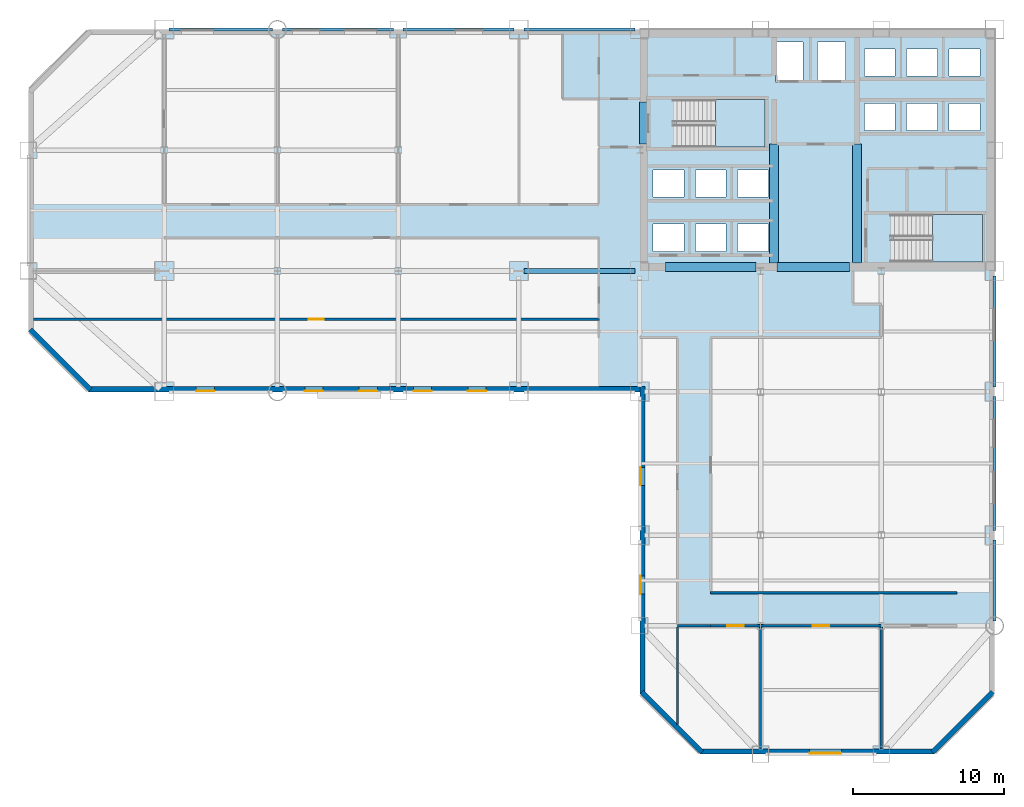
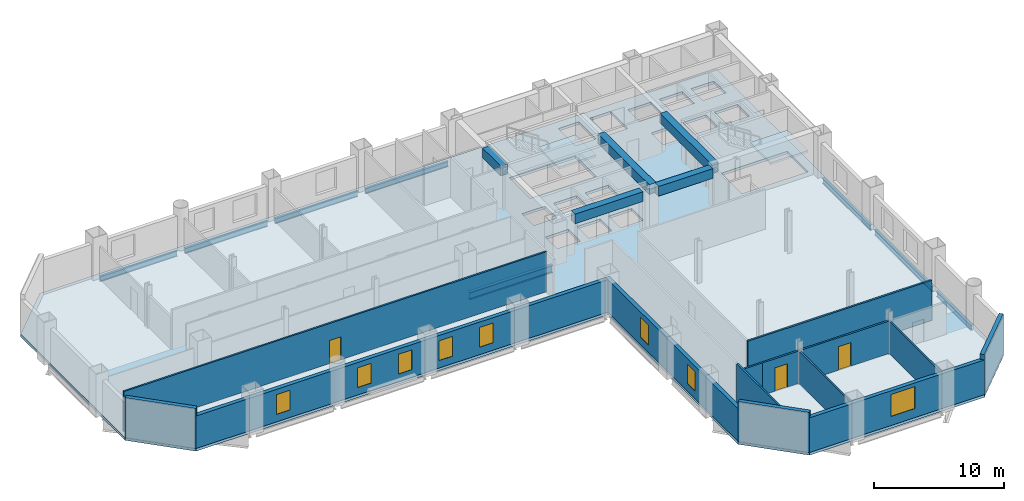
# One storey, part 4 of 9: 14 walls, 13 beams, 8 windows, 3 doors, 3 slabs, 11 openings, 2 elements without a shape of their own.
"""IFC4 building model written with IfcOpenShell, lengths in metres."""

from ifc_helpers import new_model, si_unit, direction, frame, frame_2d, origin, origin_2d, place, context, subcontext, project, spatial, polyline, rectangle, i_section, outline, extrude, material, layer, layer_set, material_profile, profile_set, type_object, element, fill, aggregate, save


model = new_model("IFC4")

# Units and contexts
model_context = context("Model", 3, precision=1e-05, world=origin(), true_north=direction((0.0, 1.0)))
body_context = subcontext(model_context, "Body", "Model", "MODEL_VIEW")
ifc_project = project(units=[si_unit("LENGTHUNIT", "METRE"), si_unit("AREAUNIT", "SQUARE_METRE"), si_unit("VOLUMEUNIT", "CUBIC_METRE"), si_unit("PLANEANGLEUNIT", "RADIAN"), si_unit("MASSUNIT", "GRAM", prefix="KILO")], contexts=[model_context])

# Site, building, storey
site_placement = place(None, origin())
site = spatial("IfcSite", under=ifc_project, at=site_placement, CompositionType="ELEMENT")
building_placement = place(site_placement, origin())
building = spatial("IfcBuilding", under=site, at=building_placement, Name="Qianrong Seaharbour Tower", CompositionType="ELEMENT")
storey_placement = place(building_placement, frame((0.0, 0.0, 44.199951171875)))
storey = spatial("IfcBuildingStorey", under=building, at=storey_placement, Name="L10", CompositionType="ELEMENT", Elevation=44.199951171875)

# Beams
ifc_material_1 = material(Name="Structural steel SN490B", Category="steel")
ifc_material_profile_1 = material_profile(ifc_material_1, i_section(OverallWidth=0.300048828125, OverallDepth=0.699951171875, WebThickness=0.012939453125, FlangeThickness=0.02392578125, FilletRadius=0.02587890625, at=origin_2d()), Name="H700x300x13x24")
ifc_profile_set_1 = profile_set([ifc_material_profile_1], Name="Structural steel SN490B")
beam_type_1 = type_object("IfcBeamType", Name="BM-G-700", PredefinedType="BEAM", material=ifc_profile_set_1)
beam_1_placement = place(storey_placement, frame((32.820068359375, 36.0, -0.599853515625), z_axis=(1.0, 0.0, 0.0), x_axis=(0.0, 1.0, 0.0)))
element("IfcBeam", 1, at=beam_1_placement, inside=storey, type_object=beam_type_1, Name="L10 Primary Girder GF G5-G6", PredefinedType="BEAM", context=body_context, shape_type="SweptSolid", body=[
    extrude(i_section(OverallWidth=0.300048828125, OverallDepth=0.699951171875, WebThickness=0.012939453125, FlangeThickness=0.02392578125, FilletRadius=0.02587890625, at=origin_2d()), origin(), (0.0, 0.0, 1.0), 7.35986328125),
])
ifc_material_2 = material(Name="Concrete C70/85", Category="concrete")
ifc_material_profile_2 = material_profile(ifc_material_2, rectangle(XDim=0.60009765625, YDim=0.89990234375, at=origin_2d()), Name="RC600x900")
ifc_profile_set_2 = profile_set([ifc_material_profile_2], Name="Concrete C70/85")
beam_type_2 = type_object("IfcBeamType", Name="BM-LINTEL-900", PredefinedType="LINTEL", material=ifc_profile_set_2)
beam_2_placement = place(storey_placement, frame((40.77001953125, 44.39990234375, 3.300048828125), z_axis=(0.0, 1.0, 0.0), x_axis=(-1.0, 0.0, 0.0)))
element("IfcBeam", 2, at=beam_2_placement, inside=storey, type_object=beam_type_2, Name="L10 Core Coupling Lintel Beam West", PredefinedType="LINTEL", context=body_context, shape_type="SweptSolid", body=[
    extrude(rectangle(XDim=0.60009765625, YDim=0.89990234375, at=origin_2d()), origin(), (0.0, 0.0, 1.0), 2.800048828125),
])
beam_3_placement = place(storey_placement, frame((42.199951171875, 36.27001953125, 3.300048828125), z_axis=(1.0, 0.0, 0.0), x_axis=(0.0, 1.0, 0.0)))
element("IfcBeam", 3, at=beam_3_placement, inside=storey, type_object=beam_type_2, Name="L10 Core Coupling Lintel Beam CBW", PredefinedType="LINTEL", context=body_context, shape_type="SweptSolid", body=[
    extrude(rectangle(XDim=0.60009765625, YDim=0.89990234375, at=origin_2d()), origin(), (0.0, 0.0, 1.0), 6.0),
])
beam_4_placement = place(storey_placement, frame((49.60009765625, 36.27001953125, 3.300048828125), z_axis=(1.0, 0.0, 0.0), x_axis=(0.0, 1.0, 0.0)))
element("IfcBeam", 4, at=beam_4_placement, inside=storey, type_object=beam_type_2, Name="L10 Core Coupling Lintel Beam CBC", PredefinedType="LINTEL", context=body_context, shape_type="SweptSolid", body=[
    extrude(rectangle(XDim=0.60009765625, YDim=0.89990234375, at=origin_2d()), origin(), (0.0, 0.0, 1.0), 4.7998046875),
])
for number, where, z_axis, x_axis, name in (
    (5, (49.39990234375, 36.5400390625, 3.300048828125), (0.0, 1.0, 0.0), (-1.0, 0.0, 0.0), "L10 Internal Core Coupling Beam IW1"),
    (6, (54.89990234375, 36.5400390625, 3.300048828125), (0.0, 1.0, 0.0), (-1.0, 0.0, 0.0), "L10 Internal Core Coupling Beam IW2"),
):
    element("IfcBeam", number, at=place(storey_placement, frame(where, z_axis=z_axis, x_axis=x_axis)), inside=storey, type_object=beam_type_2, Name=name, PredefinedType="LINTEL", context=body_context, shape_type="SweptSolid", body=[
        extrude(rectangle(XDim=0.60009765625, YDim=0.89990234375, at=origin_2d()), origin(), (0.0, 0.0, 1.0), 7.85986328125),
    ])
ifc_material_profile_3 = material_profile(ifc_material_1, i_section(OverallWidth=0.199951171875, OverallDepth=0.5, WebThickness=0.010009765625, FlangeThickness=0.01611328125, FilletRadius=0.02001953125, at=origin_2d()), Name="H500x200x10x16")
ifc_profile_set_3 = profile_set([ifc_material_profile_3], Name="Structural steel SN490B")
beam_type_3 = type_object("IfcBeamType", Name="BM-SP-500", PredefinedType="SPANDREL", material=ifc_profile_set_3)
beam_5_placement = place(storey_placement, frame((9.320068359375, 52.0, -0.5), z_axis=(1.0, 0.0, 0.0), x_axis=(0.0, 1.0, 0.0)))
element("IfcBeam", 7, at=beam_5_placement, inside=storey, type_object=beam_type_3, Name="L10 Spandrel Girder GH G2-G3", PredefinedType="SPANDREL", context=body_context, shape_type="SweptSolid", body=[
    extrude(i_section(OverallWidth=0.199951171875, OverallDepth=0.5, WebThickness=0.010009765625, FlangeThickness=0.01611328125, FilletRadius=0.02001953125, at=origin_2d()), origin(), (0.0, 0.0, 1.0), 6.85986328125),
])
for number, where, z_axis, x_axis, name in (
    (8, (16.820068359375, 52.0, -0.5), (1.0, 0.0, 0.0), (0.0, 1.0, 0.0), "L10 Spandrel Girder GH G3-G4"),
    (9, (24.820068359375, 52.0, -0.5), (1.0, 0.0, 0.0), (0.0, 1.0, 0.0), "L10 Spandrel Girder GH G4-G5"),
    (10, (32.820068359375, 52.0, -0.5), (1.0, 0.0, 0.0), (0.0, 1.0, 0.0), "L10 Spandrel Girder GH G5-G6"),
):
    element("IfcBeam", number, at=place(storey_placement, frame(where, z_axis=z_axis, x_axis=x_axis)), inside=storey, type_object=beam_type_3, Name=name, PredefinedType="SPANDREL", context=body_context, shape_type="SweptSolid", body=[
        extrude(i_section(OverallWidth=0.199951171875, OverallDepth=0.5, WebThickness=0.010009765625, FlangeThickness=0.01611328125, FilletRadius=0.02001953125, at=origin_2d()), origin(), (0.0, 0.0, 1.0), 7.35986328125),
    ])
beam_6_placement = place(storey_placement, frame((64.0, 12.820068359375, -0.5), z_axis=(0.0, 1.0, 0.0), x_axis=(-1.0, 0.0, 0.0)))
element("IfcBeam", 11, at=beam_6_placement, inside=storey, type_object=beam_type_3, Name="L10 Spandrel Girder G9 GC-GD", PredefinedType="SPANDREL", context=body_context, shape_type="SweptSolid", body=[
    extrude(i_section(OverallWidth=0.199951171875, OverallDepth=0.5, WebThickness=0.010009765625, FlangeThickness=0.01611328125, FilletRadius=0.02001953125, at=origin_2d()), origin(), (0.0, 0.0, 1.0), 5.35986328125),
])
beam_7_placement = place(storey_placement, frame((64.0, 18.820068359375, -0.5), z_axis=(0.0, 1.0, 0.0), x_axis=(-1.0, 0.0, 0.0)))
element("IfcBeam", 12, at=beam_7_placement, inside=storey, type_object=beam_type_3, Name="L10 Spandrel Girder G9 GD-GE", PredefinedType="SPANDREL", context=body_context, shape_type="SweptSolid", body=[
    extrude(i_section(OverallWidth=0.199951171875, OverallDepth=0.5, WebThickness=0.010009765625, FlangeThickness=0.01611328125, FilletRadius=0.02001953125, at=origin_2d()), origin(), (0.0, 0.0, 1.0), 8.85986328125),
])
beam_8_placement = place(storey_placement, frame((64.0, 28.320068359375, -0.5), z_axis=(0.0, 1.0, 0.0), x_axis=(-1.0, 0.0, 0.0)))
element("IfcBeam", 13, at=beam_8_placement, inside=storey, type_object=beam_type_3, Name="L10 Spandrel Girder G9 GE-GF", PredefinedType="SPANDREL", context=body_context, shape_type="SweptSolid", body=[
    extrude(i_section(OverallWidth=0.199951171875, OverallDepth=0.5, WebThickness=0.010009765625, FlangeThickness=0.01611328125, FilletRadius=0.02001953125, at=origin_2d()), origin(), (0.0, 0.0, 1.0), 7.35986328125),
])

# Stair, slab
ifc_material_3 = material(Name="Concrete C50/60", Category="concrete")
stair_type = type_object("IfcStairType", Name="STAIR-DOGLEG-1500-R22", PredefinedType="HALF_TURN_STAIR", material=ifc_material_3)
stair_1_placement = place(storey_placement, origin())
stair_1 = element("IfcStair", 14, at=stair_1_placement, inside=storey, type_object=stair_type, Name="L10 Protected Escape Stair ST-1", PredefinedType="HALF_TURN_STAIR")
ifc_layer_1 = layer(ifc_material_3, 0.199951171875)
ifc_layer_set_1 = layer_set([ifc_layer_1], Name="Concrete C50/60")
slab_type_1 = type_object("IfcSlabType", Name="SLAB-STAIR-LANDING-200", PredefinedType="LANDING", material=ifc_layer_set_1)
slab_1_placement = place(storey_placement, frame((0.0, 0.0, 1.800048828125)))
slab_1 = element("IfcSlab", 15, at=slab_1_placement, type_object=slab_type_1, Name="ST-1 landing 1", PredefinedType="LANDING", context=body_context, shape_type="SweptSolid", body=[
    extrude(outline(polyline([(45.5, 44.199951171875), (48.800048828125, 44.199951171875), (48.800048828125, 47.35009765625), (45.5, 47.35009765625), (45.5, 44.199951171875)])), origin(), (0.0, 0.0, 1.0), 0.199951171875),
])
aggregate(stair_1, [slab_1])

stair_2_placement = place(storey_placement, origin())
stair_2 = element("IfcStair", 16, at=stair_2_placement, inside=storey, type_object=stair_type, Name="L10 Protected Escape Stair ST-2", PredefinedType="HALF_TURN_STAIR")
slab_2_placement = place(storey_placement, frame((0.0, 0.0, 1.800048828125)))
slab_2 = element("IfcSlab", 17, at=slab_2_placement, type_object=slab_type_1, Name="ST-2 landing 1", PredefinedType="LANDING", context=body_context, shape_type="SweptSolid", body=[
    extrude(outline(polyline([(59.89990234375, 36.60009765625), (63.199951171875, 36.60009765625), (63.199951171875, 39.75), (59.89990234375, 39.75), (59.89990234375, 36.60009765625)])), origin(), (0.0, 0.0, 1.0), 0.199951171875),
])
aggregate(stair_2, [slab_2])

# Slab
ifc_layer_2 = layer(ifc_material_3, 0.25)
ifc_layer_set_2 = layer_set([ifc_layer_2], Name="Concrete C50/60")
slab_type_2 = type_object("IfcSlabType", Name="SLAB-Z1-250", PredefinedType="FLOOR", material=ifc_layer_set_2)
slab_3_placement = place(storey_placement, frame((0.0, 0.0, -0.25)))
element("IfcSlab", 18, at=slab_3_placement, inside=storey, type_object=slab_type_2, Name="L10 Structural Floor Slab", PredefinedType="FLOOR", context=body_context, shape_type="SweptSolid", body=[
    extrude(outline(polyline([(44.5, 4.0), (60.0, 4.0), (64.0, 8.0), (64.0, 52.0), (4.0, 52.0), (0.0, 48.0), (0.0, 32.0), (4.0, 28.0), (40.5, 28.0), (40.5, 8.0), (44.5, 4.0)]), holes=[polyline([(42.93994140625, 44.199951171875), (42.93994140625, 47.35009765625), (48.800048828125, 47.35009765625), (48.800048828125, 44.199951171875), (42.93994140625, 44.199951171875)]), polyline([(57.340087890625, 36.60009765625), (57.340087890625, 39.75), (63.199951171875, 39.75), (63.199951171875, 36.60009765625), (57.340087890625, 36.60009765625)]), polyline([(49.47998046875, 48.530029296875), (49.47998046875, 51.169921875), (51.320068359375, 51.169921875), (51.320068359375, 48.530029296875), (49.47998046875, 48.530029296875)]), polyline([(52.280029296875, 48.530029296875), (52.280029296875, 51.169921875), (54.1201171875, 51.169921875), (54.1201171875, 48.530029296875), (52.280029296875, 48.530029296875)]), polyline([(41.3798828125, 37.300048828125), (41.3798828125, 39.10009765625), (43.419921875, 39.10009765625), (43.419921875, 37.300048828125), (41.3798828125, 37.300048828125)]), polyline([(44.179931640625, 37.300048828125), (44.179931640625, 39.10009765625), (46.219970703125, 39.10009765625), (46.219970703125, 37.300048828125), (44.179931640625, 37.300048828125)]), polyline([(46.97998046875, 37.300048828125), (46.97998046875, 39.10009765625), (49.02001953125, 39.10009765625), (49.02001953125, 37.300048828125), (46.97998046875, 37.300048828125)]), polyline([(41.3798828125, 40.89990234375), (41.3798828125, 42.699951171875), (43.419921875, 42.699951171875), (43.419921875, 40.89990234375), (41.3798828125, 40.89990234375)]), polyline([(44.179931640625, 40.89990234375), (44.179931640625, 42.699951171875), (46.219970703125, 42.699951171875), (46.219970703125, 40.89990234375), (44.179931640625, 40.89990234375)]), polyline([(46.97998046875, 40.89990234375), (46.97998046875, 42.699951171875), (49.02001953125, 42.699951171875), (49.02001953125, 40.89990234375), (46.97998046875, 40.89990234375)]), polyline([(55.3798828125, 45.300048828125), (55.3798828125, 47.10009765625), (57.419921875, 47.10009765625), (57.419921875, 45.300048828125), (55.3798828125, 45.300048828125)]), polyline([(58.179931640625, 45.300048828125), (58.179931640625, 47.10009765625), (60.219970703125, 47.10009765625), (60.219970703125, 45.300048828125), (58.179931640625, 45.300048828125)]), polyline([(60.97998046875, 45.300048828125), (60.97998046875, 47.10009765625), (63.02001953125, 47.10009765625), (63.02001953125, 45.300048828125), (60.97998046875, 45.300048828125)]), polyline([(55.3798828125, 48.89990234375), (55.3798828125, 50.699951171875), (57.419921875, 50.699951171875), (57.419921875, 48.89990234375), (55.3798828125, 48.89990234375)]), polyline([(58.179931640625, 48.89990234375), (58.179931640625, 50.699951171875), (60.219970703125, 50.699951171875), (60.219970703125, 48.89990234375), (58.179931640625, 48.89990234375)]), polyline([(60.97998046875, 48.89990234375), (60.97998046875, 50.699951171875), (63.02001953125, 50.699951171875), (63.02001953125, 48.89990234375), (60.97998046875, 48.89990234375)])]), origin(), (0.0, 0.0, 1.0), 0.25),
])

# Walls
ifc_material_4 = material(Name="Fire-rated acoustic gypsum board partition")
ifc_layer_3 = layer(ifc_material_4, 0.1650390625)
ifc_layer_set_3 = layer_set([ifc_layer_3], Name="Fire-rated acoustic gypsum board partition")
wall_type_1 = type_object("IfcWallType", Name="WALL-CORR-PART-165", PredefinedType="PARTITIONING", material=ifc_layer_set_3)
wall_1_placement = place(storey_placement, frame((45.199951171875, 12.5, 0.0), z_axis=(0.0, 0.0, 1.0), x_axis=(-1.0, 0.0, 0.0)))
element("IfcWall", 19, at=wall_1_placement, inside=storey, type_object=wall_type_1, Name="L10 Interior Partition Wall 033", PredefinedType="PARTITIONING", context=body_context, shape_type="SweptSolid", body=[
    extrude(rectangle(XDim=2.199951171875, YDim=0.1650390625, at=frame_2d((1.10009765625, 0.0))), origin(), (0.0, 0.0, 1.0), 3.0419921875),
])
wall_2_placement = place(storey_placement, frame((45.199951171875, 14.699951171875, 0.0), z_axis=(0.0, 0.0, 1.0), x_axis=(1.0, 0.0, 0.0)))
element("IfcWall", 20, at=wall_2_placement, inside=storey, type_object=wall_type_1, Name="L10 Interior Partition Wall 034", PredefinedType="PARTITIONING", context=body_context, shape_type="SweptSolid", body=[
    extrude(rectangle(XDim=16.300048828125, YDim=0.1650390625, at=frame_2d((8.14990234375, 0.0))), origin(), (0.0, 0.0, 1.0), 3.75),
])

# Wall, opening, door
wall_3_placement = place(storey_placement, frame((48.5, 12.5, 0.0), z_axis=(0.0, 0.0, 1.0), x_axis=(-1.0, 0.0, 0.0)))
wall_3 = element("IfcWall", 21, at=wall_3_placement, inside=storey, type_object=wall_type_1, Name="L10 Interior Partition Wall 035", PredefinedType="PARTITIONING", context=body_context, shape_type="SweptSolid", body=[
    extrude(rectangle(XDim=3.300048828125, YDim=0.1650390625, at=frame_2d((1.64990234375, 0.0))), origin(), (0.0, 0.0, 1.0), 3.0419921875),
])
opening_1_placement = place(wall_3_placement, frame((1.10009765625, 0.0, 0.0)))
opening_1 = element("IfcOpeningElement", 22, at=opening_1_placement, cuts=wall_3, Name="Opening DM-01", PredefinedType="OPENING", context=body_context, shape_type="SweptSolid", body=[
    extrude(rectangle(XDim=1.10009765625, YDim=2.199951171875, at=frame_2d((0.550048828125, 1.10009765625))), frame((0.0, 0.092529296875, 0.0), z_axis=(0.0, -1.0, 0.0), x_axis=(1.0, 0.0, 0.0)), (0.0, 0.0, 1.0), 0.18505859375),
])
ifc_material_5 = material(Name="Acoustic timber and galvanized steel fire door assembly", Category="steel")
door_type_1 = type_object("IfcDoorType", Name="DOOR-MEET-1100x2200", OperationType="NOTDEFINED", PredefinedType="DOOR", material=ifc_material_5)
door_1_placement = place(opening_1_placement, origin())
door_1 = element("IfcDoor", 23, at=door_1_placement, inside=storey, type_object=door_type_1, Name="L10 Maritime Seminar Room 1 Door", OperationType="SINGLE_SWING_RIGHT", OverallHeight=2.199951171875, OverallWidth=1.10009765625, PredefinedType="DOOR", context=body_context, shape_type="SweptSolid", body=[
    extrude(rectangle(XDim=1.10009765625, YDim=2.199951171875, at=frame_2d((0.550048828125, 1.10009765625))), frame((0.0, 0.02490234375, 0.0), z_axis=(0.0, -1.0, 0.0), x_axis=(1.0, 0.0, 0.0)), (0.0, 0.0, 1.0), 0.050048828125),
])
fill(opening_1, door_1)

wall_4_placement = place(storey_placement, frame((56.5, 12.5, 0.0), z_axis=(0.0, 0.0, 1.0), x_axis=(-1.0, 0.0, 0.0)))
wall_4 = element("IfcWall", 24, at=wall_4_placement, inside=storey, type_object=wall_type_1, Name="L10 Interior Partition Wall 036", PredefinedType="PARTITIONING", context=body_context, shape_type="SweptSolid", body=[
    extrude(rectangle(XDim=8.0, YDim=0.1650390625, at=frame_2d((4.0, 0.0))), origin(), (0.0, 0.0, 1.0), 3.0419921875),
])
opening_2_placement = place(wall_4_placement, frame((3.449951171875, 0.0, 0.0)))
opening_2 = element("IfcOpeningElement", 25, at=opening_2_placement, cuts=wall_4, Name="Opening DM-01", PredefinedType="OPENING", context=body_context, shape_type="SweptSolid", body=[
    extrude(rectangle(XDim=1.10009765625, YDim=2.199951171875, at=frame_2d((0.550048828125, 1.10009765625))), frame((0.0, 0.092529296875, 0.0), z_axis=(0.0, -1.0, 0.0), x_axis=(1.0, 0.0, 0.0)), (0.0, 0.0, 1.0), 0.18505859375),
])
door_2_placement = place(opening_2_placement, origin())
door_2 = element("IfcDoor", 26, at=door_2_placement, inside=storey, type_object=door_type_1, Name="L10 Meeting Room 2 Door", OperationType="SINGLE_SWING_LEFT", OverallHeight=2.199951171875, OverallWidth=1.10009765625, PredefinedType="DOOR", context=body_context, shape_type="SweptSolid", body=[
    extrude(rectangle(XDim=1.10009765625, YDim=2.199951171875, at=frame_2d((0.550048828125, 1.10009765625))), frame((0.0, 0.02490234375, 0.0), z_axis=(0.0, -1.0, 0.0), x_axis=(1.0, 0.0, 0.0)), (0.0, 0.0, 1.0), 0.050048828125),
])
fill(opening_2, door_2)

# Wall, openings, windows
ifc_material_6 = material(Name="Unitised buff brick on Precast concrete C45/55", Category="masonry")
ifc_layer_4 = layer(ifc_material_6, 0.340087890625)
ifc_layer_set_4 = layer_set([ifc_layer_4], Name="Unitised buff brick on Precast concrete C45/55")
wall_type_2 = type_object("IfcWallType", Name="WALL-EXT-BRICK-BUFF-340", PredefinedType="SOLIDWALL", material=ifc_layer_set_4)
wall_5_placement = place(storey_placement, frame((40.669921875, 8.0, 0.0), z_axis=(0.0, 0.0, 1.0), x_axis=(0.0, 1.0, 0.0)))
wall_5 = element("IfcWall", 27, at=wall_5_placement, inside=storey, type_object=wall_type_2, Name="L10 Exterior Masonry Facade Wall REENTRANT_WEST", PredefinedType="SOLIDWALL", context=body_context, shape_type="SweptSolid", body=[
    extrude(rectangle(XDim=20.340087890625, YDim=0.340087890625, at=frame_2d((10.169921875, 0.0))), origin(), (0.0, 0.0, 1.0), 3.050048828125),
])
opening_3_placement = place(wall_5_placement, frame((6.60009765625, 0.0, 0.699951171875)))
opening_3 = element("IfcOpeningElement", 28, at=opening_3_placement, cuts=wall_5, Name="Opening WN-01", PredefinedType="OPENING", context=body_context, shape_type="SweptSolid", body=[
    extrude(rectangle(XDim=1.199951171875, YDim=1.85009765625, at=frame_2d((0.60009765625, 0.925048828125))), frame((0.0, 0.18017578125, 0.0), z_axis=(0.0, -1.0, 0.0), x_axis=(1.0, 0.0, 0.0)), (0.0, 0.0, 1.0), 0.360107421875),
])
opening_4_placement = place(wall_5_placement, frame((13.800048828125, 0.0, 0.699951171875)))
opening_4 = element("IfcOpeningElement", 29, at=opening_4_placement, cuts=wall_5, Name="Opening WN-01", PredefinedType="OPENING", context=body_context, shape_type="SweptSolid", body=[
    extrude(rectangle(XDim=1.199951171875, YDim=1.85009765625, at=frame_2d((0.60009765625, 0.925048828125))), frame((0.0, 0.18017578125, 0.0), z_axis=(0.0, -1.0, 0.0), x_axis=(1.0, 0.0, 0.0)), (0.0, 0.0, 1.0), 0.360107421875),
])
ifc_material_7 = material(Name="Insulated low-e double glazing in thermally broken aluminium 6063-T6 frame", Category="aluminium")
window_type_1 = type_object("IfcWindowType", Name="WIN-PUNCH-1200x1850", PartitioningType="DOUBLE_PANEL_VERTICAL", PredefinedType="WINDOW", material=ifc_material_7)
window_1_placement = place(opening_3_placement, origin())
window_1 = element("IfcWindow", 30, at=window_1_placement, inside=storey, type_object=window_type_1, Name="L10 Deep-Set Punched Window 00.02", OverallHeight=1.85009765625, OverallWidth=1.199951171875, PartitioningType="DOUBLE_PANEL_VERTICAL", PredefinedType="WINDOW", context=body_context, shape_type="SweptSolid", body=[
    extrude(rectangle(XDim=1.199951171875, YDim=1.85009765625, at=frame_2d((0.60009765625, 0.925048828125))), frame((0.0, 0.150146484375, 0.0), z_axis=(0.0, -1.0, 0.0), x_axis=(1.0, 0.0, 0.0)), (0.0, 0.0, 1.0), 0.06005859375),
])
fill(opening_3, window_1)
window_2_placement = place(opening_4_placement, origin())
window_2 = element("IfcWindow", 31, at=window_2_placement, inside=storey, type_object=window_type_1, Name="L10 Deep-Set Punched Window 00.04", OverallHeight=1.85009765625, OverallWidth=1.199951171875, PartitioningType="DOUBLE_PANEL_VERTICAL", PredefinedType="WINDOW", context=body_context, shape_type="SweptSolid", body=[
    extrude(rectangle(XDim=1.199951171875, YDim=1.85009765625, at=frame_2d((0.60009765625, 0.925048828125))), frame((0.0, 0.150146484375, 0.0), z_axis=(0.0, -1.0, 0.0), x_axis=(1.0, 0.0, 0.0)), (0.0, 0.0, 1.0), 0.06005859375),
])
fill(opening_4, window_2)

wall_6_placement = place(storey_placement, frame((40.52001953125, 28.169921875, 0.0), z_axis=(0.0, 0.0, 1.0), x_axis=(-1.0, 0.0, 0.0)))
wall_6 = element("IfcWall", 32, at=wall_6_placement, inside=storey, type_object=wall_type_2, Name="L10 Exterior Masonry Facade Wall HARBOUR_RIBBON", PredefinedType="SOLIDWALL", context=body_context, shape_type="SweptSolid", body=[
    extrude(rectangle(XDim=36.52001953125, YDim=0.340087890625, at=frame_2d((18.260009765625, 0.0))), origin(), (0.0, 0.0, 1.0), 3.050048828125),
])
opening_5_placement = place(wall_6_placement, frame((10.199951171875, 0.0, 0.699951171875)))
opening_5 = element("IfcOpeningElement", 33, at=opening_5_placement, cuts=wall_6, Name="Opening WN-01", PredefinedType="OPENING", context=body_context, shape_type="SweptSolid", body=[
    extrude(rectangle(XDim=1.199951171875, YDim=1.85009765625, at=frame_2d((0.60009765625, 0.925048828125))), frame((0.0, 0.18017578125, 0.0), z_axis=(0.0, -1.0, 0.0), x_axis=(1.0, 0.0, 0.0)), (0.0, 0.0, 1.0), 0.360107421875),
])
opening_6_placement = place(wall_6_placement, frame((13.800048828125, 0.0, 0.699951171875)))
opening_6 = element("IfcOpeningElement", 34, at=opening_6_placement, cuts=wall_6, Name="Opening WN-01", PredefinedType="OPENING", context=body_context, shape_type="SweptSolid", body=[
    extrude(rectangle(XDim=1.199951171875, YDim=1.85009765625, at=frame_2d((0.60009765625, 0.925048828125))), frame((0.0, 0.18017578125, 0.0), z_axis=(0.0, -1.0, 0.0), x_axis=(1.0, 0.0, 0.0)), (0.0, 0.0, 1.0), 0.360107421875),
])
opening_7_placement = place(wall_6_placement, frame((17.39990234375, 0.0, 0.699951171875)))
opening_7 = element("IfcOpeningElement", 35, at=opening_7_placement, cuts=wall_6, Name="Opening WN-01", PredefinedType="OPENING", context=body_context, shape_type="SweptSolid", body=[
    extrude(rectangle(XDim=1.199951171875, YDim=1.85009765625, at=frame_2d((0.60009765625, 0.925048828125))), frame((0.0, 0.18017578125, 0.0), z_axis=(0.0, -1.0, 0.0), x_axis=(1.0, 0.0, 0.0)), (0.0, 0.0, 1.0), 0.360107421875),
])
opening_8_placement = place(wall_6_placement, frame((21.0, 0.0, 0.699951171875)))
opening_8 = element("IfcOpeningElement", 36, at=opening_8_placement, cuts=wall_6, Name="Opening WN-01", PredefinedType="OPENING", context=body_context, shape_type="SweptSolid", body=[
    extrude(rectangle(XDim=1.199951171875, YDim=1.85009765625, at=frame_2d((0.60009765625, 0.925048828125))), frame((0.0, 0.18017578125, 0.0), z_axis=(0.0, -1.0, 0.0), x_axis=(1.0, 0.0, 0.0)), (0.0, 0.0, 1.0), 0.360107421875),
])
opening_9_placement = place(wall_6_placement, frame((28.199951171875, 0.0, 0.699951171875)))
opening_9 = element("IfcOpeningElement", 37, at=opening_9_placement, cuts=wall_6, Name="Opening WN-01", PredefinedType="OPENING", context=body_context, shape_type="SweptSolid", body=[
    extrude(rectangle(XDim=1.199951171875, YDim=1.85009765625, at=frame_2d((0.60009765625, 0.925048828125))), frame((0.0, 0.18017578125, 0.0), z_axis=(0.0, -1.0, 0.0), x_axis=(1.0, 0.0, 0.0)), (0.0, 0.0, 1.0), 0.360107421875),
])
window_3_placement = place(opening_5_placement, origin())
window_3 = element("IfcWindow", 38, at=window_3_placement, inside=storey, type_object=window_type_1, Name="L10 Deep-Set Punched Window 01.03", OverallHeight=1.85009765625, OverallWidth=1.199951171875, PartitioningType="DOUBLE_PANEL_VERTICAL", PredefinedType="WINDOW", context=body_context, shape_type="SweptSolid", body=[
    extrude(rectangle(XDim=1.199951171875, YDim=1.85009765625, at=frame_2d((0.60009765625, 0.925048828125))), frame((0.0, 0.150146484375, 0.0), z_axis=(0.0, -1.0, 0.0), x_axis=(1.0, 0.0, 0.0)), (0.0, 0.0, 1.0), 0.06005859375),
])
fill(opening_5, window_3)
window_4_placement = place(opening_6_placement, origin())
window_4 = element("IfcWindow", 39, at=window_4_placement, inside=storey, type_object=window_type_1, Name="L10 Deep-Set Punched Window 01.04", OverallHeight=1.85009765625, OverallWidth=1.199951171875, PartitioningType="DOUBLE_PANEL_VERTICAL", PredefinedType="WINDOW", context=body_context, shape_type="SweptSolid", body=[
    extrude(rectangle(XDim=1.199951171875, YDim=1.85009765625, at=frame_2d((0.60009765625, 0.925048828125))), frame((0.0, 0.150146484375, 0.0), z_axis=(0.0, -1.0, 0.0), x_axis=(1.0, 0.0, 0.0)), (0.0, 0.0, 1.0), 0.06005859375),
])
fill(opening_6, window_4)
window_5_placement = place(opening_7_placement, origin())
window_5 = element("IfcWindow", 40, at=window_5_placement, inside=storey, type_object=window_type_1, Name="L10 Deep-Set Punched Window 01.05", OverallHeight=1.85009765625, OverallWidth=1.199951171875, PartitioningType="DOUBLE_PANEL_VERTICAL", PredefinedType="WINDOW", context=body_context, shape_type="SweptSolid", body=[
    extrude(rectangle(XDim=1.199951171875, YDim=1.85009765625, at=frame_2d((0.60009765625, 0.925048828125))), frame((0.0, 0.150146484375, 0.0), z_axis=(0.0, -1.0, 0.0), x_axis=(1.0, 0.0, 0.0)), (0.0, 0.0, 1.0), 0.06005859375),
])
fill(opening_7, window_5)
window_6_placement = place(opening_8_placement, origin())
window_6 = element("IfcWindow", 41, at=window_6_placement, inside=storey, type_object=window_type_1, Name="L10 Deep-Set Punched Window 01.06", OverallHeight=1.85009765625, OverallWidth=1.199951171875, PartitioningType="DOUBLE_PANEL_VERTICAL", PredefinedType="WINDOW", context=body_context, shape_type="SweptSolid", body=[
    extrude(rectangle(XDim=1.199951171875, YDim=1.85009765625, at=frame_2d((0.60009765625, 0.925048828125))), frame((0.0, 0.150146484375, 0.0), z_axis=(0.0, -1.0, 0.0), x_axis=(1.0, 0.0, 0.0)), (0.0, 0.0, 1.0), 0.06005859375),
])
fill(opening_8, window_6)
window_7_placement = place(opening_9_placement, origin())
window_7 = element("IfcWindow", 42, at=window_7_placement, inside=storey, type_object=window_type_1, Name="L10 Deep-Set Punched Window 01.08", OverallHeight=1.85009765625, OverallWidth=1.199951171875, PartitioningType="DOUBLE_PANEL_VERTICAL", PredefinedType="WINDOW", context=body_context, shape_type="SweptSolid", body=[
    extrude(rectangle(XDim=1.199951171875, YDim=1.85009765625, at=frame_2d((0.60009765625, 0.925048828125))), frame((0.0, 0.150146484375, 0.0), z_axis=(0.0, -1.0, 0.0), x_axis=(1.0, 0.0, 0.0)), (0.0, 0.0, 1.0), 0.06005859375),
])
fill(opening_9, window_7)

# Walls
for number, where, z_axis, x_axis, name in (
    (43, (4.1201171875, 28.1201171875, 0.0), (0.0, 0.0, 1.0), (-0.707106781187, 0.707106781187, 0.0), "L10 Exterior Masonry Facade Wall E02"),
    (44, (63.8798828125, 8.1201171875, 0.0), (0.0, 0.0, 1.0), (-0.707106781187, -0.707106781187, 0.0), "L10 Exterior Masonry Facade Wall E07"),
):
    element("IfcWall", number, at=place(storey_placement, frame(where, z_axis=z_axis, x_axis=x_axis)), inside=storey, type_object=wall_type_2, Name=name, PredefinedType="SOLIDWALL", context=body_context, shape_type="SweptSolid", body=[
        extrude(rectangle(XDim=5.65673828125, YDim=0.340087890625, at=frame_2d((2.828369140625, 0.0))), origin(), (0.0, 0.0, 1.0), 3.75),
    ])

# Wall, opening, window
wall_7_placement = place(storey_placement, frame((60.0, 4.169921875, 0.0), z_axis=(0.0, 0.0, 1.0), x_axis=(-1.0, 0.0, 0.0)))
wall_7 = element("IfcWall", 45, at=wall_7_placement, inside=storey, type_object=wall_type_2, Name="L10 Exterior Masonry Facade Wall SOUTH_TIP", PredefinedType="SOLIDWALL", context=body_context, shape_type="SweptSolid", body=[
    extrude(rectangle(XDim=15.5, YDim=0.340087890625, at=frame_2d((7.75, 0.0))), origin(), (0.0, 0.0, 1.0), 3.25),
])
opening_10_placement = place(wall_7_placement, frame((6.14990234375, 0.0, 0.85009765625)))
opening_10 = element("IfcOpeningElement", 46, at=opening_10_placement, cuts=wall_7, Name="Opening WN-06", PredefinedType="OPENING", context=body_context, shape_type="SweptSolid", body=[
    extrude(rectangle(XDim=2.10009765625, YDim=2.050048828125, at=frame_2d((1.050048828125, 1.02490234375))), frame((0.0, 0.18017578125, 0.0), z_axis=(0.0, -1.0, 0.0), x_axis=(1.0, 0.0, 0.0)), (0.0, 0.0, 1.0), 0.360107421875),
])
window_type_2 = type_object("IfcWindowType", Name="WIN-PUNCH-2100x2050", PartitioningType="TRIPLE_PANEL_VERTICAL", PredefinedType="WINDOW", material=ifc_material_7)
window_8_placement = place(opening_10_placement, origin())
window_8 = element("IfcWindow", 47, at=window_8_placement, inside=storey, type_object=window_type_2, Name="L10 Deep-Set Punched Window 08.02", OverallHeight=2.050048828125, OverallWidth=2.10009765625, PartitioningType="TRIPLE_PANEL_VERTICAL", PredefinedType="WINDOW", context=body_context, shape_type="SweptSolid", body=[
    extrude(rectangle(XDim=2.10009765625, YDim=2.050048828125, at=frame_2d((1.050048828125, 1.02490234375))), frame((0.0, 0.150146484375, 0.0), z_axis=(0.0, -1.0, 0.0), x_axis=(1.0, 0.0, 0.0)), (0.0, 0.0, 1.0), 0.06005859375),
])
fill(opening_10, window_8)

# Walls
wall_8_placement = place(storey_placement, frame((44.6201171875, 4.1201171875, 0.0), z_axis=(0.0, 0.0, 1.0), x_axis=(-0.707106781187, 0.707106781187, 0.0)))
element("IfcWall", 48, at=wall_8_placement, inside=storey, type_object=wall_type_2, Name="L10 Exterior Masonry Facade Wall E09", PredefinedType="SOLIDWALL", context=body_context, shape_type="SweptSolid", body=[
    extrude(rectangle(XDim=5.65673828125, YDim=0.340087890625, at=frame_2d((2.828369140625, 0.0))), origin(), (0.0, 0.0, 1.0), 3.75),
])
ifc_material_8 = material(Name="Acoustic gypsum board stud partition")
ifc_layer_5 = layer(ifc_material_8, 0.14501953125)
ifc_layer_set_5 = layer_set([ifc_layer_5], Name="Acoustic gypsum board stud partition")
wall_type_3 = type_object("IfcWallType", Name="WALL-OFFICE-PART-145", PredefinedType="PARTITIONING", material=ifc_layer_set_5)
wall_9_placement = place(storey_placement, frame((43.0, 12.425537109375, 0.0), z_axis=(0.0, 0.0, 1.0), x_axis=(0.0, -1.0, 0.0)))
element("IfcWall", 49, at=wall_9_placement, inside=storey, type_object=wall_type_3, Name="L10 Interior Partition Wall 038", PredefinedType="PARTITIONING", context=body_context, shape_type="SweptSolid", body=[
    extrude(rectangle(XDim=6.4560546875, YDim=0.14501953125, at=frame_2d((3.22802734375, 0.0))), origin(), (0.0, 0.0, 1.0), 3.75),
])

# Wall, opening, door
wall_10_placement = place(storey_placement, frame((0.33203125, 32.800048828125, 0.0), z_axis=(0.0, 0.0, 1.0), x_axis=(1.0, 0.0, 0.0)))
wall_10 = element("IfcWall", 50, at=wall_10_placement, inside=storey, type_object=wall_type_3, Name="L10 Interior Partition Wall 043", PredefinedType="PARTITIONING", context=body_context, shape_type="SweptSolid", body=[
    extrude(rectangle(XDim=37.468017578125, YDim=0.14501953125, at=frame_2d((18.73388671875, 0.0))), origin(), (0.0, 0.0, 1.0), 3.75),
])
opening_11_placement = place(wall_10_placement, frame((18.23388671875, 0.0, 0.0)))
opening_11 = element("IfcOpeningElement", 51, at=opening_11_placement, cuts=wall_10, Name="Opening DO-01", PredefinedType="OPENING", context=body_context, shape_type="SweptSolid", body=[
    extrude(rectangle(XDim=1.0, YDim=2.14990234375, at=frame_2d((0.5, 1.074951171875))), frame((0.0, 0.08251953125, 0.0), z_axis=(0.0, -1.0, 0.0), x_axis=(1.0, 0.0, 0.0)), (0.0, 0.0, 1.0), 0.1650390625),
])
door_type_2 = type_object("IfcDoorType", Name="DOOR-OFFICE-1000x2150", OperationType="NOTDEFINED", PredefinedType="DOOR", material=ifc_material_5)
door_3_placement = place(opening_11_placement, origin())
door_3 = element("IfcDoor", 52, at=door_3_placement, inside=storey, type_object=door_type_2, Name="L10 Harbour Lecture Hall 1 Door", OperationType="SINGLE_SWING_LEFT", OverallHeight=2.14990234375, OverallWidth=1.0, PredefinedType="DOOR", context=body_context, shape_type="SweptSolid", body=[
    extrude(rectangle(XDim=1.0, YDim=2.14990234375, at=frame_2d((0.5, 1.074951171875))), frame((0.0, 0.02490234375, 0.0), z_axis=(0.0, -1.0, 0.0), x_axis=(1.0, 0.0, 0.0)), (0.0, 0.0, 1.0), 0.050048828125),
])
fill(opening_11, door_3)

# Walls
for number, where, z_axis, x_axis, name in (
    (53, (48.5, 12.425537109375, 0.0), (0.0, 0.0, 1.0), (0.0, -1.0, 0.0), "L10 Interior Partition Wall 045"),
    (54, (56.5, 12.425537109375, 0.0), (0.0, 0.0, 1.0), (0.0, -1.0, 0.0), "L10 Interior Partition Wall 046"),
):
    element("IfcWall", number, at=place(storey_placement, frame(where, z_axis=z_axis, x_axis=x_axis)), inside=storey, type_object=wall_type_3, Name=name, PredefinedType="PARTITIONING", context=body_context, shape_type="SweptSolid", body=[
        extrude(rectangle(XDim=8.093505859375, YDim=0.14501953125, at=frame_2d((4.046875, 0.0))), origin(), (0.0, 0.0, 1.0), 3.0419921875),
    ])

save(model, "model.ifc")
